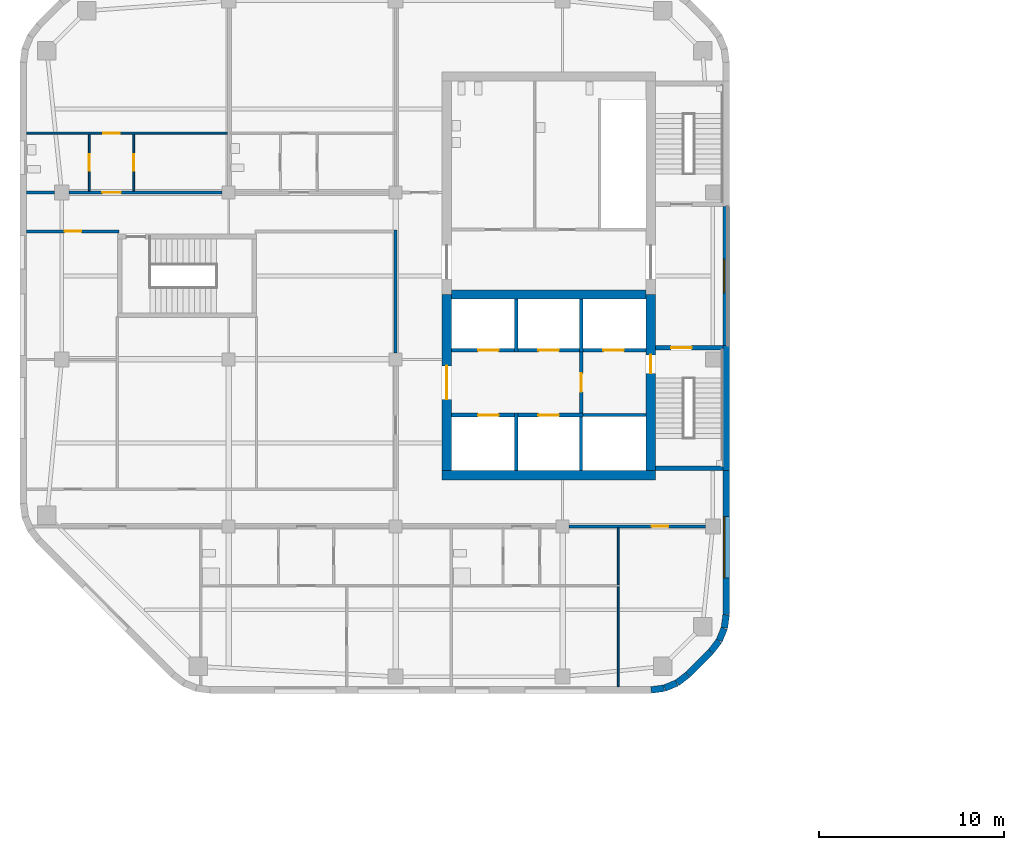
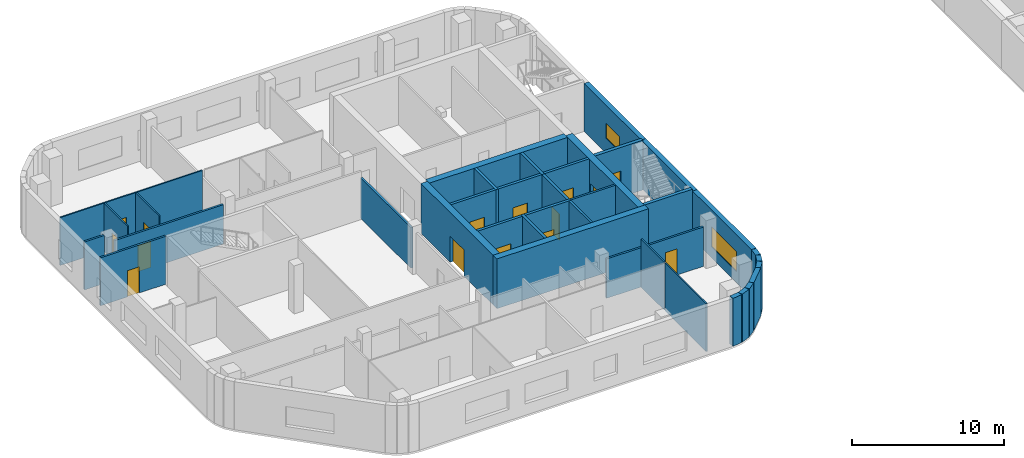
# One storey, part 6 of 15: 37 walls, 15 doors, 2 windows, 17 openings.
"""IFC4 building model written with IfcOpenShell, lengths in metres."""

from ifc_helpers import new_model, si_unit, direction, frame, frame_2d, origin, place, context, subcontext, project, spatial, rectangle, extrude, material, layer, layer_set, type_object, element, fill, save


model = new_model("IFC4")

# Units and contexts
model_context = context("Model", 3, precision=1e-05, world=origin(), true_north=direction((0.0, 1.0)))
body_context = subcontext(model_context, "Body", "Model", "MODEL_VIEW")
ifc_project = project(units=[si_unit("LENGTHUNIT", "METRE"), si_unit("AREAUNIT", "SQUARE_METRE"), si_unit("VOLUMEUNIT", "CUBIC_METRE"), si_unit("PLANEANGLEUNIT", "RADIAN"), si_unit("MASSUNIT", "GRAM", prefix="KILO")], contexts=[model_context])

# Site, building, storey
site_placement = place(None, origin())
site = spatial("IfcSite", under=ifc_project, at=site_placement, CompositionType="ELEMENT")
building_placement = place(site_placement, origin())
building = spatial("IfcBuilding", under=site, at=building_placement, Name="Cinnabar Reach Civic Tower", CompositionType="ELEMENT")
storey_placement = place(building_placement, frame((0.0, 0.0, 87.0)))
storey = spatial("IfcBuildingStorey", under=building, at=storey_placement, Name="L20", CompositionType="ELEMENT", Elevation=87.0)

# Walls
ifc_material_1 = material(Name="Facing brick with insulated backing", Category="masonry")
ifc_layer_1 = layer(ifc_material_1, 0.36)
ifc_layer_set_1 = layer_set([ifc_layer_1], Name="Brick corner wall")
wall_type_1 = type_object("IfcWallType", Name="Brick corner wall", PredefinedType="STANDARD", material=ifc_layer_set_1)
for number, where, z_axis, x_axis, name in (
    (1, (-31.2314, 9.183, 0.0), (0.0, 0.0, 1.0), (0.99144092581, 0.13055608231, 0.0), "Brick corner wall"),
    (2, (-30.5027, 9.2819, 0.0), (0.0, 0.0, 1.0), (0.923871547278, 0.382702709855, 0.0), "Brick corner wall"),
):
    element("IfcWall", number, at=place(storey_placement, frame(where, z_axis=z_axis, x_axis=x_axis)), inside=storey, type_object=wall_type_1, Name=name, PredefinedType="STANDARD", context=body_context, shape_type="SweptSolid", body=[
        extrude(rectangle(XDim=0.7131, YDim=0.36, at=frame_2d((0.3565, 0.0))), origin(), (0.0, 0.0, 1.0), 3.85),
    ])
for number, where, z_axis, x_axis, name in (
    (3, (-29.8245, 9.566, 0.0), (0.0, 0.0, 1.0), (0.793321924995, 0.608802368033, 0.0), "Brick corner wall"),
    (4, (-28.0002, 11.2587, 0.0), (0.0, 0.0, 1.0), (0.608802368033, 0.793321924995, 0.0), "Brick corner wall"),
):
    element("IfcWall", number, at=place(storey_placement, frame(where, z_axis=z_axis, x_axis=x_axis)), inside=storey, type_object=wall_type_1, Name=name, PredefinedType="STANDARD", context=body_context, shape_type="SweptSolid", body=[
        extrude(rectangle(XDim=0.7132, YDim=0.36, at=frame_2d((0.3566, 0.0))), origin(), (0.0, 0.0, 1.0), 3.85),
    ])
for number, where, z_axis, x_axis, name in (
    (5, (-27.5548, 11.8439, 0.0), (0.0, 0.0, 1.0), (0.382702709855, 0.923871547278, 0.0), "Brick corner wall"),
    (6, (-27.2761, 12.5244, 0.0), (0.0, 0.0, 1.0), (0.13055608231, 0.99144092581, 0.0), "Brick corner wall"),
):
    element("IfcWall", number, at=place(storey_placement, frame(where, z_axis=z_axis, x_axis=x_axis)), inside=storey, type_object=wall_type_1, Name=name, PredefinedType="STANDARD", context=body_context, shape_type="SweptSolid", body=[
        extrude(rectangle(XDim=0.7131, YDim=0.36, at=frame_2d((0.3565, 0.0))), origin(), (0.0, 0.0, 1.0), 3.85),
    ])
ifc_layer_2 = layer(ifc_material_1, 0.36)
ifc_layer_set_2 = layer_set([ifc_layer_2], Name="Brick pier and spandrel wall")
wall_type_2 = type_object("IfcWallType", Name="Brick pier and spandrel wall", PredefinedType="STANDARD", material=ifc_layer_set_2)
wall_1_placement = place(storey_placement, frame((-29.2486, 10.006, 0.0), z_axis=(0.0, 0.0, 1.0), x_axis=(0.707106781187, 0.707106781187, 0.0)))
element("IfcWall", 7, at=wall_1_placement, inside=storey, type_object=wall_type_2, Name="Brick facade wall", PredefinedType="STANDARD", context=body_context, shape_type="SweptSolid", body=[
    extrude(rectangle(XDim=1.7573, YDim=0.36, at=frame_2d((0.8787, 0.0))), origin(), (0.0, 0.0, 1.0), 3.85),
])

# Wall, opening, window
wall_2_placement = place(storey_placement, frame((-27.18, 13.2426, 0.0), z_axis=(0.0, 0.0, 1.0), x_axis=(0.0, 1.0, 0.0)))
wall_2 = element("IfcWall", 8, at=wall_2_placement, inside=storey, type_object=wall_type_2, Name="Brick facade wall", PredefinedType="STANDARD", context=body_context, shape_type="SweptSolid", body=[
    extrude(rectangle(XDim=7.7574, YDim=0.36, at=frame_2d((3.8787, 0.0))), origin(), (0.0, 0.0, 1.0), 3.85),
])
opening_1_placement = place(wall_2_placement, frame((1.9824, 0.0, 0.9)))
opening_1 = element("IfcOpeningElement", 9, at=opening_1_placement, cuts=wall_2, Name="Opening W2624", PredefinedType="OPENING", context=body_context, shape_type="SweptSolid", body=[
    extrude(rectangle(XDim=3.3, YDim=1.6, at=frame_2d((1.65, 0.8))), frame((0.0, 0.19, 0.0), z_axis=(0.0, -1.0, 0.0), x_axis=(1.0, 0.0, 0.0)), (0.0, 0.0, 1.0), 0.38),
])
ifc_material_2 = material(Name="Clear double glazing in aluminium frame", Category="aluminium")
window_type_1 = type_object("IfcWindowType", Name="Deep-set window A", PartitioningType="SINGLE_PANEL", PredefinedType="WINDOW", material=ifc_material_2)
window_1_placement = place(opening_1_placement, origin())
window_1 = element("IfcWindow", 10, at=window_1_placement, inside=storey, type_object=window_type_1, Name="Window east face", OverallHeight=1.6, OverallWidth=3.3, PartitioningType="SINGLE_PANEL", PredefinedType="WINDOW", context=body_context, shape_type="SweptSolid", body=[
    extrude(rectangle(XDim=3.3, YDim=1.6, at=frame_2d((1.65, 0.8))), frame((0.0, 0.13, 0.0), z_axis=(0.0, -1.0, 0.0), x_axis=(1.0, 0.0, 0.0)), (0.0, 0.0, 1.0), 0.06),
])
fill(opening_1, window_1)

# Wall
wall_3_placement = place(storey_placement, frame((-27.18, 21.0, 0.0), z_axis=(0.0, 0.0, 1.0), x_axis=(0.0, 1.0, 0.0)))
element("IfcWall", 11, at=wall_3_placement, inside=storey, type_object=wall_type_2, Name="Brick facade wall", PredefinedType="STANDARD", context=body_context, shape_type="SweptSolid", body=[
    extrude(rectangle(XDim=6.75, YDim=0.36, at=frame_2d((3.375, 0.0))), origin(), (0.0, 0.0, 1.0), 3.85),
])

# Wall, opening, window
wall_4_placement = place(storey_placement, frame((-27.18, 27.75, 0.0), z_axis=(0.0, 0.0, 1.0), x_axis=(0.0, 1.0, 0.0)))
wall_4 = element("IfcWall", 12, at=wall_4_placement, inside=storey, type_object=wall_type_2, Name="Brick facade wall", PredefinedType="STANDARD", context=body_context, shape_type="SweptSolid", body=[
    extrude(rectangle(XDim=7.5, YDim=0.36, at=frame_2d((3.75, 0.0))), origin(), (0.0, 0.0, 1.0), 3.85),
])
opening_2_placement = place(wall_4_placement, frame((2.85, 0.0, 1.2)))
opening_2 = element("IfcOpeningElement", 13, at=opening_2_placement, cuts=wall_4, Name="Opening W2625", PredefinedType="OPENING", context=body_context, shape_type="SweptSolid", body=[
    extrude(rectangle(XDim=1.8, YDim=1.2, at=frame_2d((0.9, 0.6))), frame((0.0, 0.19, 0.0), z_axis=(0.0, -1.0, 0.0), x_axis=(1.0, 0.0, 0.0)), (0.0, 0.0, 1.0), 0.38),
])
window_type_2 = type_object("IfcWindowType", Name="Deep-set window C", PartitioningType="SINGLE_PANEL", PredefinedType="WINDOW", material=ifc_material_2)
window_2_placement = place(opening_2_placement, origin())
window_2 = element("IfcWindow", 14, at=window_2_placement, inside=storey, type_object=window_type_2, Name="Window east face", OverallHeight=1.2, OverallWidth=1.8, PartitioningType="SINGLE_PANEL", PredefinedType="WINDOW", context=body_context, shape_type="SweptSolid", body=[
    extrude(rectangle(XDim=1.8, YDim=1.2, at=frame_2d((0.9, 0.6))), frame((0.0, 0.13, 0.0), z_axis=(0.0, -1.0, 0.0), x_axis=(1.0, 0.0, 0.0)), (0.0, 0.0, 1.0), 0.06),
])
fill(opening_2, window_2)

# Wall
ifc_material_3 = material(Name="Concrete C60", Category="concrete")
ifc_layer_3 = layer(ifc_material_3, 0.5)
ifc_layer_set_3 = layer_set([ifc_layer_3], Name="Core wall 500 EI 180")
wall_type_3 = type_object("IfcWallType", Name="Core wall 500 EI 180", PredefinedType="SOLIDWALL", material=ifc_layer_set_3)
wall_5_placement = place(storey_placement, frame((-42.5, 20.75, 0.0), z_axis=(0.0, 0.0, 1.0), x_axis=(1.0, 0.0, 0.0)))
element("IfcWall", 15, at=wall_5_placement, inside=storey, type_object=wall_type_3, Name="Core wall T2 L20 S", PredefinedType="SOLIDWALL", context=body_context, shape_type="SweptSolid", body=[
    extrude(rectangle(XDim=11.5, YDim=0.5, at=frame_2d((5.75, 0.0))), origin(), (0.0, 0.0, 1.0), 4.0),
])

# Wall, opening, door
wall_6_placement = place(storey_placement, frame((-31.25, 21.0, 0.0), z_axis=(0.0, 0.0, 1.0), x_axis=(0.0, 1.0, 0.0)))
wall_6 = element("IfcWall", 16, at=wall_6_placement, inside=storey, type_object=wall_type_3, Name="Core wall T2 L20 E", PredefinedType="SOLIDWALL", context=body_context, shape_type="SweptSolid", body=[
    extrude(rectangle(XDim=9.5, YDim=0.5, at=frame_2d((4.75, 0.0))), origin(), (0.0, 0.0, 1.0), 4.0),
])
opening_3_placement = place(wall_6_placement, frame((5.25, 0.0, 0.0)))
opening_3 = element("IfcOpeningElement", 17, at=opening_3_placement, cuts=wall_6, Name="Opening D6754", PredefinedType="OPENING", context=body_context, shape_type="SweptSolid", body=[
    extrude(rectangle(XDim=1.0, YDim=2.1, at=frame_2d((0.5, 1.05))), frame((0.0, 0.26, 0.0), z_axis=(0.0, -1.0, 0.0), x_axis=(1.0, 0.0, 0.0)), (0.0, 0.0, 1.0), 0.52),
])
ifc_material_4 = material(Name="Steel fire door", Category="steel")
door_type_1 = type_object("IfcDoorType", Name="T2 Firefighting lobby door 1000", OperationType="SINGLE_SWING_LEFT", PredefinedType="DOOR", material=ifc_material_4)
door_1_placement = place(opening_3_placement, frame((1.0, 0.0, 0.0), z_axis=(0.0, 0.0, 1.0), x_axis=(-1.0, 0.0, 0.0)))
door_1 = element("IfcDoor", 18, at=door_1_placement, inside=storey, type_object=door_type_1, Name="T2 Firefighting lobby door D6754", OperationType="SINGLE_SWING_LEFT", OverallHeight=2.1, OverallWidth=1.0, PredefinedType="DOOR", context=body_context, shape_type="SweptSolid", body=[
    extrude(rectangle(XDim=1.0, YDim=2.1, at=frame_2d((0.5, 1.05))), frame((0.0, 0.025, 0.0), z_axis=(0.0, -1.0, 0.0), x_axis=(1.0, 0.0, 0.0)), (0.0, 0.0, 1.0), 0.05),
])
fill(opening_3, door_1)

wall_7_placement = place(storey_placement, frame((-42.25, 30.5, 0.0), z_axis=(0.0, 0.0, 1.0), x_axis=(0.0, -1.0, 0.0)))
wall_7 = element("IfcWall", 19, at=wall_7_placement, inside=storey, type_object=wall_type_3, Name="Core wall T2 L20 W2", PredefinedType="SOLIDWALL", context=body_context, shape_type="SweptSolid", body=[
    extrude(rectangle(XDim=9.5, YDim=0.5, at=frame_2d((4.75, 0.0))), origin(), (0.0, 0.0, 1.0), 4.0),
])
opening_4_placement = place(wall_7_placement, frame((3.85, 0.0, 0.0)))
opening_4 = element("IfcOpeningElement", 20, at=opening_4_placement, cuts=wall_7, Name="Opening D6758", PredefinedType="OPENING", context=body_context, shape_type="SweptSolid", body=[
    extrude(rectangle(XDim=1.8, YDim=2.1, at=frame_2d((0.9, 1.05))), frame((0.0, 0.26, 0.0), z_axis=(0.0, -1.0, 0.0), x_axis=(1.0, 0.0, 0.0)), (0.0, 0.0, 1.0), 0.52),
])
door_type_2 = type_object("IfcDoorType", Name="T2 Double door 1800", OperationType="DOUBLE_DOOR_SINGLE_SWING", PredefinedType="DOOR", material=ifc_material_4)
door_2_placement = place(opening_4_placement, origin())
door_2 = element("IfcDoor", 21, at=door_2_placement, inside=storey, type_object=door_type_2, Name="T2 Double door D6758", OperationType="DOUBLE_DOOR_SINGLE_SWING", OverallHeight=2.1, OverallWidth=1.8, PredefinedType="DOOR", context=body_context, shape_type="SweptSolid", body=[
    extrude(rectangle(XDim=1.8, YDim=2.1, at=frame_2d((0.9, 1.05))), frame((0.0, 0.025, 0.0), z_axis=(0.0, -1.0, 0.0), x_axis=(1.0, 0.0, 0.0)), (0.0, 0.0, 1.0), 0.05),
])
fill(opening_4, door_2)

# Wall
wall_8_placement = place(storey_placement, frame((-42.0, 30.5, 0.0), z_axis=(0.0, 0.0, 1.0), x_axis=(1.0, 0.0, 0.0)))
element("IfcWall", 22, at=wall_8_placement, inside=storey, type_object=wall_type_3, Name="Core spine wall T2 L20", PredefinedType="SOLIDWALL", context=body_context, shape_type="SweptSolid", body=[
    extrude(rectangle(XDim=10.5, YDim=0.5, at=frame_2d((5.25, 0.0))), origin(), (0.0, 0.0, 1.0), 4.0),
])

# Wall, opening, door
ifc_material_5 = material(Name="Gypsum board on steel studs, double layer", Category="steel")
ifc_layer_4 = layer(ifc_material_5, 0.15)
ifc_layer_set_4 = layer_set([ifc_layer_4], Name="Corridor wall 150 T2")
wall_type_4 = type_object("IfcWallType", Name="Corridor wall 150 T2", PredefinedType="PARTITIONING", material=ifc_layer_set_4)
wall_9_placement = place(storey_placement, frame((-35.65, 18.0, 0.0), z_axis=(0.0, 0.0, 1.0), x_axis=(1.0, 0.0, 0.0)))
wall_9 = element("IfcWall", 23, at=wall_9_placement, inside=storey, type_object=wall_type_4, Name="Corridor wall 1", PredefinedType="PARTITIONING", context=body_context, shape_type="SweptSolid", body=[
    extrude(rectangle(XDim=7.35, YDim=0.15, at=frame_2d((3.675, 0.0))), origin(), (0.0, 0.0, 1.0), 3.158),
])
opening_5_placement = place(wall_9_placement, frame((4.45, 0.0, 0.0)))
opening_5 = element("IfcOpeningElement", 24, at=opening_5_placement, cuts=wall_9, Name="Opening D6773", PredefinedType="OPENING", context=body_context, shape_type="SweptSolid", body=[
    extrude(rectangle(XDim=0.9, YDim=2.1, at=frame_2d((0.45, 1.05))), frame((0.0, 0.085, 0.0), z_axis=(0.0, -1.0, 0.0), x_axis=(1.0, 0.0, 0.0)), (0.0, 0.0, 1.0), 0.17),
])
ifc_material_6 = material(Name="Timber door leaf in steel frame", Category="steel")
door_type_3 = type_object("IfcDoorType", Name="Single swing door 900 x 2100 T2", OperationType="SINGLE_SWING_LEFT", PredefinedType="DOOR", material=ifc_material_6)
door_3_placement = place(opening_5_placement, frame((0.9, 0.0, 0.0), z_axis=(0.0, 0.0, 1.0), x_axis=(-1.0, 0.0, 0.0)))
door_3 = element("IfcDoor", 25, at=door_3_placement, inside=storey, type_object=door_type_3, Name="Door D6773", OperationType="SINGLE_SWING_LEFT", OverallHeight=2.1, OverallWidth=0.9, PredefinedType="DOOR", context=body_context, shape_type="SweptSolid", body=[
    extrude(rectangle(XDim=0.9, YDim=2.1, at=frame_2d((0.45, 1.05))), frame((0.0, 0.025, 0.0), z_axis=(0.0, -1.0, 0.0), x_axis=(1.0, 0.0, 0.0)), (0.0, 0.0, 1.0), 0.05),
])
fill(opening_5, door_3)

wall_10_placement = place(storey_placement, frame((-62.6, 36.0, 0.0), z_axis=(0.0, 0.0, 1.0), x_axis=(1.0, 0.0, 0.0)))
wall_10 = element("IfcWall", 26, at=wall_10_placement, inside=storey, type_object=wall_type_4, Name="Corridor wall 7", PredefinedType="PARTITIONING", context=body_context, shape_type="SweptSolid", body=[
    extrude(rectangle(XDim=8.25, YDim=0.15, at=frame_2d((4.125, 0.0))), origin(), (0.0, 0.0, 1.0), 3.158),
])
opening_6_placement = place(wall_10_placement, frame((1.7859, 0.0, 0.0)))
opening_6 = element("IfcOpeningElement", 27, at=opening_6_placement, cuts=wall_10, Name="Opening D6777", PredefinedType="OPENING", context=body_context, shape_type="SweptSolid", body=[
    extrude(rectangle(XDim=1.0, YDim=2.1, at=frame_2d((0.5, 1.05))), frame((0.0, 0.085, 0.0), z_axis=(0.0, -1.0, 0.0), x_axis=(1.0, 0.0, 0.0)), (0.0, 0.0, 1.0), 0.17),
])
door_type_4 = type_object("IfcDoorType", Name="Tenancy entrance door 1000 x 2100 T2", OperationType="SINGLE_SWING_LEFT", PredefinedType="DOOR", material=ifc_material_6)
door_4_placement = place(opening_6_placement, origin())
door_4 = element("IfcDoor", 28, at=door_4_placement, inside=storey, type_object=door_type_4, Name="Door D6777", OperationType="SINGLE_SWING_RIGHT", OverallHeight=2.1, OverallWidth=1.0, PredefinedType="DOOR", context=body_context, shape_type="SweptSolid", body=[
    extrude(rectangle(XDim=1.0, YDim=2.1, at=frame_2d((0.5, 1.05))), frame((0.0, 0.025, 0.0), z_axis=(0.0, -1.0, 0.0), x_axis=(1.0, 0.0, 0.0)), (0.0, 0.0, 1.0), 0.05),
])
fill(opening_6, door_4)

# Walls
wall_11_placement = place(storey_placement, frame((-64.89, 36.0, 0.0), z_axis=(0.0, 0.0, 1.0), x_axis=(1.0, 0.0, 0.0)))
element("IfcWall", 29, at=wall_11_placement, inside=storey, type_object=wall_type_4, Name="Corridor wall 8", PredefinedType="PARTITIONING", context=body_context, shape_type="SweptSolid", body=[
    extrude(rectangle(XDim=1.49, YDim=0.15, at=frame_2d((0.745, 0.0))), origin(), (0.0, 0.0, 1.0), 3.85),
])
wall_12_placement = place(storey_placement, frame((-45.0, 27.35, 0.0), z_axis=(0.0, 0.0, 1.0), x_axis=(0.0, 1.0, 0.0)))
element("IfcWall", 30, at=wall_12_placement, inside=storey, type_object=wall_type_4, Name="Corridor wall 11", PredefinedType="PARTITIONING", context=body_context, shape_type="SweptSolid", body=[
    extrude(rectangle(XDim=6.625, YDim=0.15, at=frame_2d((3.3125, 0.0))), origin(), (0.0, 0.0, 1.0), 3.256),
])

# Wall, opening, door
wall_13_placement = place(storey_placement, frame((-64.89, 33.9, 0.0), z_axis=(0.0, 0.0, 1.0), x_axis=(1.0, 0.0, 0.0)))
wall_13 = element("IfcWall", 31, at=wall_13_placement, inside=storey, type_object=wall_type_4, Name="Corridor wall 13", PredefinedType="PARTITIONING", context=body_context, shape_type="SweptSolid", body=[
    extrude(rectangle(XDim=4.965, YDim=0.15, at=frame_2d((2.4825, 0.0))), origin(), (0.0, 0.0, 1.0), 3.85),
])
opening_7_placement = place(wall_13_placement, frame((2.05, 0.0, 0.0)))
opening_7 = element("IfcOpeningElement", 32, at=opening_7_placement, cuts=wall_13, Name="Opening D6783", PredefinedType="OPENING", context=body_context, shape_type="SweptSolid", body=[
    extrude(rectangle(XDim=0.9, YDim=2.1, at=frame_2d((0.45, 1.05))), frame((0.0, 0.085, 0.0), z_axis=(0.0, -1.0, 0.0), x_axis=(1.0, 0.0, 0.0)), (0.0, 0.0, 1.0), 0.17),
])
door_5_placement = place(opening_7_placement, frame((0.9, 0.0, 0.0), z_axis=(0.0, 0.0, 1.0), x_axis=(-1.0, 0.0, 0.0)))
door_5 = element("IfcDoor", 33, at=door_5_placement, inside=storey, type_object=door_type_3, Name="Door D6783", OperationType="SINGLE_SWING_LEFT", OverallHeight=2.1, OverallWidth=0.9, PredefinedType="DOOR", context=body_context, shape_type="SweptSolid", body=[
    extrude(rectangle(XDim=0.9, YDim=2.1, at=frame_2d((0.45, 1.05))), frame((0.0, 0.025, 0.0), z_axis=(0.0, -1.0, 0.0), x_axis=(1.0, 0.0, 0.0)), (0.0, 0.0, 1.0), 0.05),
])
fill(opening_7, door_5)

ifc_material_7 = material(Name="Gypsum board on steel studs", Category="steel")
ifc_layer_5 = layer(ifc_material_7, 0.1)
ifc_layer_set_5 = layer_set([ifc_layer_5], Name="Partition wall 100 T2")
wall_type_5 = type_object("IfcWallType", Name="Partition wall 100 T2", PredefinedType="PARTITIONING", material=ifc_layer_set_5)
wall_14_placement = place(storey_placement, frame((-64.89, 39.2, 0.0), z_axis=(0.0, 0.0, 1.0), x_axis=(1.0, 0.0, 0.0)))
wall_14 = element("IfcWall", 34, at=wall_14_placement, inside=storey, type_object=wall_type_5, Name="Partition wall 19", PredefinedType="PARTITIONING", context=body_context, shape_type="SweptSolid", body=[
    extrude(rectangle(XDim=10.815, YDim=0.1, at=frame_2d((5.4075, 0.0))), origin(), (0.0, 0.0, 1.0), 3.85),
])
opening_8_placement = place(wall_14_placement, frame((4.1259, 0.0, 0.0)))
opening_8 = element("IfcOpeningElement", 35, at=opening_8_placement, cuts=wall_14, Name="Opening D6776", PredefinedType="OPENING", context=body_context, shape_type="SweptSolid", body=[
    extrude(rectangle(XDim=0.9, YDim=2.1, at=frame_2d((0.45, 1.05))), frame((0.0, 0.06, 0.0), z_axis=(0.0, -1.0, 0.0), x_axis=(1.0, 0.0, 0.0)), (0.0, 0.0, 1.0), 0.12),
])
door_6_placement = place(opening_8_placement, frame((0.9, 0.0, 0.0), z_axis=(0.0, 0.0, 1.0), x_axis=(-1.0, 0.0, 0.0)))
door_6 = element("IfcDoor", 36, at=door_6_placement, inside=storey, type_object=door_type_3, Name="Door D6776", OperationType="SINGLE_SWING_RIGHT", OverallHeight=2.1, OverallWidth=0.9, PredefinedType="DOOR", context=body_context, shape_type="SweptSolid", body=[
    extrude(rectangle(XDim=0.9, YDim=2.1, at=frame_2d((0.45, 1.05))), frame((0.0, 0.025, 0.0), z_axis=(0.0, -1.0, 0.0), x_axis=(1.0, 0.0, 0.0)), (0.0, 0.0, 1.0), 0.05),
])
fill(opening_8, door_6)

# Walls
wall_15_placement = place(storey_placement, frame((-33.0, 14.85, 0.0), z_axis=(0.0, 0.0, 1.0), x_axis=(0.0, 1.0, 0.0)))
element("IfcWall", 37, at=wall_15_placement, inside=storey, type_object=wall_type_5, Name="Partition wall 24", PredefinedType="PARTITIONING", context=body_context, shape_type="SweptSolid", body=[
    extrude(rectangle(XDim=3.075, YDim=0.1, at=frame_2d((1.5375, 0.0))), origin(), (0.0, 0.0, 1.0), 3.85),
])
wall_16_placement = place(storey_placement, frame((-33.0, 9.36, 0.0), z_axis=(0.0, 0.0, 1.0), x_axis=(0.0, 1.0, 0.0)))
element("IfcWall", 38, at=wall_16_placement, inside=storey, type_object=wall_type_5, Name="Partition wall 25", PredefinedType="PARTITIONING", context=body_context, shape_type="SweptSolid", body=[
    extrude(rectangle(XDim=5.39, YDim=0.1, at=frame_2d((2.695, 0.0))), origin(), (0.0, 0.0, 1.0), 3.85),
])

# Wall, opening, door
wall_17_placement = place(storey_placement, frame((-61.5141, 36.075, 0.0), z_axis=(0.0, 0.0, 1.0), x_axis=(0.0, 1.0, 0.0)))
wall_17 = element("IfcWall", 39, at=wall_17_placement, inside=storey, type_object=wall_type_5, Name="Partition wall 32", PredefinedType="PARTITIONING", context=body_context, shape_type="SweptSolid", body=[
    extrude(rectangle(XDim=3.075, YDim=0.1, at=frame_2d((1.5375, 0.0))), origin(), (0.0, 0.0, 1.0), 3.85),
])
opening_9_placement = place(wall_17_placement, frame((1.1, 0.0, 0.0)))
opening_9 = element("IfcOpeningElement", 40, at=opening_9_placement, cuts=wall_17, Name="Opening D6774", PredefinedType="OPENING", context=body_context, shape_type="SweptSolid", body=[
    extrude(rectangle(XDim=0.9, YDim=2.1, at=frame_2d((0.45, 1.05))), frame((0.0, 0.06, 0.0), z_axis=(0.0, -1.0, 0.0), x_axis=(1.0, 0.0, 0.0)), (0.0, 0.0, 1.0), 0.12),
])
door_7_placement = place(opening_9_placement, origin())
door_7 = element("IfcDoor", 41, at=door_7_placement, inside=storey, type_object=door_type_3, Name="Door D6774", OperationType="SINGLE_SWING_LEFT", OverallHeight=2.1, OverallWidth=0.9, PredefinedType="DOOR", context=body_context, shape_type="SweptSolid", body=[
    extrude(rectangle(XDim=0.9, YDim=2.1, at=frame_2d((0.45, 1.05))), frame((0.0, 0.025, 0.0), z_axis=(0.0, -1.0, 0.0), x_axis=(1.0, 0.0, 0.0)), (0.0, 0.0, 1.0), 0.05),
])
fill(opening_9, door_7)

wall_18_placement = place(storey_placement, frame((-59.1183, 36.075, 0.0), z_axis=(0.0, 0.0, 1.0), x_axis=(0.0, 1.0, 0.0)))
wall_18 = element("IfcWall", 42, at=wall_18_placement, inside=storey, type_object=wall_type_5, Name="Partition wall 33", PredefinedType="PARTITIONING", context=body_context, shape_type="SweptSolid", body=[
    extrude(rectangle(XDim=3.075, YDim=0.1, at=frame_2d((1.5375, 0.0))), origin(), (0.0, 0.0, 1.0), 3.85),
])
opening_10_placement = place(wall_18_placement, frame((1.1, 0.0, 0.0)))
opening_10 = element("IfcOpeningElement", 43, at=opening_10_placement, cuts=wall_18, Name="Opening D6775", PredefinedType="OPENING", context=body_context, shape_type="SweptSolid", body=[
    extrude(rectangle(XDim=0.9, YDim=2.1, at=frame_2d((0.45, 1.05))), frame((0.0, 0.06, 0.0), z_axis=(0.0, -1.0, 0.0), x_axis=(1.0, 0.0, 0.0)), (0.0, 0.0, 1.0), 0.12),
])
door_8_placement = place(opening_10_placement, origin())
door_8 = element("IfcDoor", 44, at=door_8_placement, inside=storey, type_object=door_type_3, Name="Door D6775", OperationType="SINGLE_SWING_LEFT", OverallHeight=2.1, OverallWidth=0.9, PredefinedType="DOOR", context=body_context, shape_type="SweptSolid", body=[
    extrude(rectangle(XDim=0.9, YDim=2.1, at=frame_2d((0.45, 1.05))), frame((0.0, 0.025, 0.0), z_axis=(0.0, -1.0, 0.0), x_axis=(1.0, 0.0, 0.0)), (0.0, 0.0, 1.0), 0.05),
])
fill(opening_10, door_8)

# Wall
ifc_layer_6 = layer(ifc_material_3, 0.25)
ifc_layer_set_6 = layer_set([ifc_layer_6], Name="Stair shaft wall 250 EI 120")
wall_type_6 = type_object("IfcWallType", Name="Stair shaft wall 250 EI 120", PredefinedType="SOLIDWALL", material=ifc_layer_set_6)
wall_19_placement = place(storey_placement, frame((-31.0, 21.125, 0.0), z_axis=(0.0, 0.0, 1.0), x_axis=(1.0, 0.0, 0.0)))
element("IfcWall", 45, at=wall_19_placement, inside=storey, type_object=wall_type_6, Name="Stair shaft wall T2-S1 L20", PredefinedType="SOLIDWALL", context=body_context, shape_type="SweptSolid", body=[
    extrude(rectangle(XDim=3.64, YDim=0.25, at=frame_2d((1.82, 0.0))), origin(), (0.0, 0.0, 1.0), 4.0),
])

# Wall, opening, door
wall_20_placement = place(storey_placement, frame((-27.36, 27.625, 0.0), z_axis=(0.0, 0.0, 1.0), x_axis=(-1.0, 0.0, 0.0)))
wall_20 = element("IfcWall", 46, at=wall_20_placement, inside=storey, type_object=wall_type_6, Name="Stair shaft wall T2-S1 L20", PredefinedType="SOLIDWALL", context=body_context, shape_type="SweptSolid", body=[
    extrude(rectangle(XDim=3.64, YDim=0.25, at=frame_2d((1.82, 0.0))), origin(), (0.0, 0.0, 1.0), 4.0),
])
opening_11_placement = place(wall_20_placement, frame((1.69, 0.0, 0.0)))
opening_11 = element("IfcOpeningElement", 47, at=opening_11_placement, cuts=wall_20, Name="Opening D6755", PredefinedType="OPENING", context=body_context, shape_type="SweptSolid", body=[
    extrude(rectangle(XDim=1.1, YDim=2.1, at=frame_2d((0.55, 1.05))), frame((0.0, 0.135, 0.0), z_axis=(0.0, -1.0, 0.0), x_axis=(1.0, 0.0, 0.0)), (0.0, 0.0, 1.0), 0.27),
])
door_type_5 = type_object("IfcDoorType", Name="T2 Stair door 1100", OperationType="SINGLE_SWING_LEFT", PredefinedType="DOOR", material=ifc_material_4)
door_9_placement = place(opening_11_placement, origin())
door_9 = element("IfcDoor", 48, at=door_9_placement, inside=storey, type_object=door_type_5, Name="T2 Stair door D6755", OperationType="SINGLE_SWING_RIGHT", OverallHeight=2.1, OverallWidth=1.1, PredefinedType="DOOR", context=body_context, shape_type="SweptSolid", body=[
    extrude(rectangle(XDim=1.1, YDim=2.1, at=frame_2d((0.55, 1.05))), frame((0.0, 0.025, 0.0), z_axis=(0.0, -1.0, 0.0), x_axis=(1.0, 0.0, 0.0)), (0.0, 0.0, 1.0), 0.05),
])
fill(opening_11, door_9)

# Walls
ifc_material_8 = material(Name="Concrete C40", Category="concrete")
ifc_layer_7 = layer(ifc_material_8, 0.15)
ifc_layer_set_7 = layer_set([ifc_layer_7], Name="T2 Riser wall 150")
wall_type_7 = type_object("IfcWallType", Name="T2 Riser wall 150", PredefinedType="SOLIDWALL", material=ifc_layer_set_7)
wall_21_placement = place(storey_placement, frame((-35.0, 21.0, 0.0), z_axis=(0.0, 0.0, 1.0), x_axis=(0.0, 1.0, 0.0)))
element("IfcWall", 49, at=wall_21_placement, inside=storey, type_object=wall_type_7, Name="T2 Riser wall L20 010", PredefinedType="SOLIDWALL", context=body_context, shape_type="SweptSolid", body=[
    extrude(rectangle(XDim=2.9, YDim=0.15, at=frame_2d((1.45, 0.0))), origin(), (0.0, 0.0, 1.0), 4.0),
])
wall_22_placement = place(storey_placement, frame((-31.5, 24.0, 0.0), z_axis=(0.0, 0.0, 1.0), x_axis=(-1.0, 0.0, 0.0)))
element("IfcWall", 50, at=wall_22_placement, inside=storey, type_object=wall_type_7, Name="T2 Riser wall L20 011", PredefinedType="SOLIDWALL", context=body_context, shape_type="SweptSolid", body=[
    extrude(rectangle(XDim=3.4, YDim=0.15, at=frame_2d((1.7, 0.0))), origin(), (0.0, 0.0, 1.0), 4.0),
])
ifc_layer_8 = layer(ifc_material_8, 0.2)
ifc_layer_set_8 = layer_set([ifc_layer_8], Name="T2 Shaft wall 200")
wall_type_8 = type_object("IfcWallType", Name="T2 Shaft wall 200", PredefinedType="SOLIDWALL", material=ifc_layer_set_8)
wall_23_placement = place(storey_placement, frame((-38.5, 21.0, 0.0), z_axis=(0.0, 0.0, 1.0), x_axis=(0.0, 1.0, 0.0)))
element("IfcWall", 51, at=wall_23_placement, inside=storey, type_object=wall_type_8, Name="T2 Shaft wall L20 001", PredefinedType="SOLIDWALL", context=body_context, shape_type="SweptSolid", body=[
    extrude(rectangle(XDim=3.1, YDim=0.2, at=frame_2d((1.55, 0.0))), origin(), (0.0, 0.0, 1.0), 4.0),
])

# Wall, opening, door
wall_24_placement = place(storey_placement, frame((-38.6, 24.0, 0.0), z_axis=(0.0, 0.0, 1.0), x_axis=(-1.0, 0.0, 0.0)))
wall_24 = element("IfcWall", 52, at=wall_24_placement, inside=storey, type_object=wall_type_8, Name="T2 Shaft wall L20 002", PredefinedType="SOLIDWALL", context=body_context, shape_type="SweptSolid", body=[
    extrude(rectangle(XDim=3.4, YDim=0.2, at=frame_2d((1.7, 0.0))), origin(), (0.0, 0.0, 1.0), 4.0),
])
opening_12_placement = place(wall_24_placement, frame((0.85, 0.0, 0.0)))
opening_12 = element("IfcOpeningElement", 53, at=opening_12_placement, cuts=wall_24, Name="Opening D6748", PredefinedType="OPENING", context=body_context, shape_type="SweptSolid", body=[
    extrude(rectangle(XDim=1.1, YDim=2.1, at=frame_2d((0.55, 1.05))), frame((0.0, 0.11, 0.0), z_axis=(0.0, -1.0, 0.0), x_axis=(1.0, 0.0, 0.0)), (0.0, 0.0, 1.0), 0.22),
])
door_type_6 = type_object("IfcDoorType", Name="T2 Lift landing door 1100", OperationType="SLIDING_TO_LEFT", PredefinedType="DOOR", material=ifc_material_4)
door_10_placement = place(opening_12_placement, origin())
door_10 = element("IfcDoor", 54, at=door_10_placement, inside=storey, type_object=door_type_6, Name="T2 Lift landing door D6748", OperationType="SLIDING_TO_LEFT", OverallHeight=2.1, OverallWidth=1.1, PredefinedType="DOOR", context=body_context, shape_type="SweptSolid", body=[
    extrude(rectangle(XDim=1.1, YDim=2.1, at=frame_2d((0.55, 1.05))), frame((0.0, 0.025, 0.0), z_axis=(0.0, -1.0, 0.0), x_axis=(1.0, 0.0, 0.0)), (0.0, 0.0, 1.0), 0.05),
])
fill(opening_12, door_10)

wall_25_placement = place(storey_placement, frame((-34.9, 24.0, 0.0), z_axis=(0.0, 0.0, 1.0), x_axis=(-1.0, 0.0, 0.0)))
wall_25 = element("IfcWall", 55, at=wall_25_placement, inside=storey, type_object=wall_type_8, Name="T2 Shaft wall L20 003", PredefinedType="SOLIDWALL", context=body_context, shape_type="SweptSolid", body=[
    extrude(rectangle(XDim=3.5, YDim=0.2, at=frame_2d((1.75, 0.0))), origin(), (0.0, 0.0, 1.0), 4.0),
])
opening_13_placement = place(wall_25_placement, frame((1.3, 0.0, 0.0)))
opening_13 = element("IfcOpeningElement", 56, at=opening_13_placement, cuts=wall_25, Name="Opening D6749", PredefinedType="OPENING", context=body_context, shape_type="SweptSolid", body=[
    extrude(rectangle(XDim=1.1, YDim=2.1, at=frame_2d((0.55, 1.05))), frame((0.0, 0.11, 0.0), z_axis=(0.0, -1.0, 0.0), x_axis=(1.0, 0.0, 0.0)), (0.0, 0.0, 1.0), 0.22),
])
door_11_placement = place(opening_13_placement, origin())
door_11 = element("IfcDoor", 57, at=door_11_placement, inside=storey, type_object=door_type_6, Name="T2 Lift landing door D6749", OperationType="SLIDING_TO_LEFT", OverallHeight=2.1, OverallWidth=1.1, PredefinedType="DOOR", context=body_context, shape_type="SweptSolid", body=[
    extrude(rectangle(XDim=1.1, YDim=2.1, at=frame_2d((0.55, 1.05))), frame((0.0, 0.025, 0.0), z_axis=(0.0, -1.0, 0.0), x_axis=(1.0, 0.0, 0.0)), (0.0, 0.0, 1.0), 0.05),
])
fill(opening_13, door_11)

# Wall
wall_26_placement = place(storey_placement, frame((-38.5, 27.4, 0.0), z_axis=(0.0, 0.0, 1.0), x_axis=(0.0, 1.0, 0.0)))
element("IfcWall", 58, at=wall_26_placement, inside=storey, type_object=wall_type_8, Name="T2 Shaft wall L20 004", PredefinedType="SOLIDWALL", context=body_context, shape_type="SweptSolid", body=[
    extrude(rectangle(XDim=2.85, YDim=0.2, at=frame_2d((1.425, 0.0))), origin(), (0.0, 0.0, 1.0), 4.0),
])

# Wall, opening, door
wall_27_placement = place(storey_placement, frame((-42.0, 27.5, 0.0), z_axis=(0.0, 0.0, 1.0), x_axis=(1.0, 0.0, 0.0)))
wall_27 = element("IfcWall", 59, at=wall_27_placement, inside=storey, type_object=wall_type_8, Name="T2 Shaft wall L20 005", PredefinedType="SOLIDWALL", context=body_context, shape_type="SweptSolid", body=[
    extrude(rectangle(XDim=3.4, YDim=0.2, at=frame_2d((1.7, 0.0))), origin(), (0.0, 0.0, 1.0), 4.0),
])
opening_14_placement = place(wall_27_placement, frame((1.45, 0.0, 0.0)))
opening_14 = element("IfcOpeningElement", 60, at=opening_14_placement, cuts=wall_27, Name="Opening D6750", PredefinedType="OPENING", context=body_context, shape_type="SweptSolid", body=[
    extrude(rectangle(XDim=1.1, YDim=2.1, at=frame_2d((0.55, 1.05))), frame((0.0, 0.11, 0.0), z_axis=(0.0, -1.0, 0.0), x_axis=(1.0, 0.0, 0.0)), (0.0, 0.0, 1.0), 0.22),
])
door_12_placement = place(opening_14_placement, origin())
door_12 = element("IfcDoor", 61, at=door_12_placement, inside=storey, type_object=door_type_6, Name="T2 Lift landing door D6750", OperationType="SLIDING_TO_LEFT", OverallHeight=2.1, OverallWidth=1.1, PredefinedType="DOOR", context=body_context, shape_type="SweptSolid", body=[
    extrude(rectangle(XDim=1.1, YDim=2.1, at=frame_2d((0.55, 1.05))), frame((0.0, 0.025, 0.0), z_axis=(0.0, -1.0, 0.0), x_axis=(1.0, 0.0, 0.0)), (0.0, 0.0, 1.0), 0.05),
])
fill(opening_14, door_12)

# Wall
wall_28_placement = place(storey_placement, frame((-35.0, 27.4, 0.0), z_axis=(0.0, 0.0, 1.0), x_axis=(0.0, 1.0, 0.0)))
element("IfcWall", 62, at=wall_28_placement, inside=storey, type_object=wall_type_8, Name="T2 Shaft wall L20 006", PredefinedType="SOLIDWALL", context=body_context, shape_type="SweptSolid", body=[
    extrude(rectangle(XDim=2.85, YDim=0.2, at=frame_2d((1.425, 0.0))), origin(), (0.0, 0.0, 1.0), 4.0),
])

# Wall, opening, door
wall_29_placement = place(storey_placement, frame((-38.4, 27.5, 0.0), z_axis=(0.0, 0.0, 1.0), x_axis=(1.0, 0.0, 0.0)))
wall_29 = element("IfcWall", 63, at=wall_29_placement, inside=storey, type_object=wall_type_8, Name="T2 Shaft wall L20 007", PredefinedType="SOLIDWALL", context=body_context, shape_type="SweptSolid", body=[
    extrude(rectangle(XDim=3.3, YDim=0.2, at=frame_2d((1.65, 0.0))), origin(), (0.0, 0.0, 1.0), 4.0),
])
opening_15_placement = place(wall_29_placement, frame((1.1, 0.0, 0.0)))
opening_15 = element("IfcOpeningElement", 64, at=opening_15_placement, cuts=wall_29, Name="Opening D6751", PredefinedType="OPENING", context=body_context, shape_type="SweptSolid", body=[
    extrude(rectangle(XDim=1.1, YDim=2.1, at=frame_2d((0.55, 1.05))), frame((0.0, 0.11, 0.0), z_axis=(0.0, -1.0, 0.0), x_axis=(1.0, 0.0, 0.0)), (0.0, 0.0, 1.0), 0.22),
])
door_13_placement = place(opening_15_placement, origin())
door_13 = element("IfcDoor", 65, at=door_13_placement, inside=storey, type_object=door_type_6, Name="T2 Lift landing door D6751", OperationType="SLIDING_TO_LEFT", OverallHeight=2.1, OverallWidth=1.1, PredefinedType="DOOR", context=body_context, shape_type="SweptSolid", body=[
    extrude(rectangle(XDim=1.1, YDim=2.1, at=frame_2d((0.55, 1.05))), frame((0.0, 0.025, 0.0), z_axis=(0.0, -1.0, 0.0), x_axis=(1.0, 0.0, 0.0)), (0.0, 0.0, 1.0), 0.05),
])
fill(opening_15, door_13)

wall_30_placement = place(storey_placement, frame((-34.9, 27.5, 0.0), z_axis=(0.0, 0.0, 1.0), x_axis=(1.0, 0.0, 0.0)))
wall_30 = element("IfcWall", 66, at=wall_30_placement, inside=storey, type_object=wall_type_8, Name="T2 Shaft wall L20 008", PredefinedType="SOLIDWALL", context=body_context, shape_type="SweptSolid", body=[
    extrude(rectangle(XDim=3.4, YDim=0.2, at=frame_2d((1.7, 0.0))), origin(), (0.0, 0.0, 1.0), 4.0),
])
opening_16_placement = place(wall_30_placement, frame((1.1, 0.0, 0.0)))
opening_16 = element("IfcOpeningElement", 67, at=opening_16_placement, cuts=wall_30, Name="Opening D6752", PredefinedType="OPENING", context=body_context, shape_type="SweptSolid", body=[
    extrude(rectangle(XDim=1.1, YDim=2.1, at=frame_2d((0.55, 1.05))), frame((0.0, 0.11, 0.0), z_axis=(0.0, -1.0, 0.0), x_axis=(1.0, 0.0, 0.0)), (0.0, 0.0, 1.0), 0.22),
])
door_type_7 = type_object("IfcDoorType", Name="T2 Firefighting lift landing door 1100", OperationType="SLIDING_TO_LEFT", PredefinedType="DOOR", material=ifc_material_4)
door_14_placement = place(opening_16_placement, origin())
door_14 = element("IfcDoor", 68, at=door_14_placement, inside=storey, type_object=door_type_7, Name="T2 Firefighting lift landing door D6752", OperationType="SLIDING_TO_LEFT", OverallHeight=2.1, OverallWidth=1.1, PredefinedType="DOOR", context=body_context, shape_type="SweptSolid", body=[
    extrude(rectangle(XDim=1.1, YDim=2.1, at=frame_2d((0.55, 1.05))), frame((0.0, 0.025, 0.0), z_axis=(0.0, -1.0, 0.0), x_axis=(1.0, 0.0, 0.0)), (0.0, 0.0, 1.0), 0.05),
])
fill(opening_16, door_14)

wall_31_placement = place(storey_placement, frame((-35.0, 24.1, 0.0), z_axis=(0.0, 0.0, 1.0), x_axis=(0.0, 1.0, 0.0)))
wall_31 = element("IfcWall", 69, at=wall_31_placement, inside=storey, type_object=wall_type_8, Name="T2 Shaft wall L20 009", PredefinedType="SOLIDWALL", context=body_context, shape_type="SweptSolid", body=[
    extrude(rectangle(XDim=3.3, YDim=0.2, at=frame_2d((1.65, 0.0))), origin(), (0.0, 0.0, 1.0), 4.0),
])
opening_17_placement = place(wall_31_placement, frame((1.15, 0.0, 0.0)))
opening_17 = element("IfcOpeningElement", 70, at=opening_17_placement, cuts=wall_31, Name="Opening D6753", PredefinedType="OPENING", context=body_context, shape_type="SweptSolid", body=[
    extrude(rectangle(XDim=1.0, YDim=2.1, at=frame_2d((0.5, 1.05))), frame((0.0, 0.11, 0.0), z_axis=(0.0, -1.0, 0.0), x_axis=(1.0, 0.0, 0.0)), (0.0, 0.0, 1.0), 0.22),
])
door_15_placement = place(opening_17_placement, origin())
door_15 = element("IfcDoor", 71, at=door_15_placement, inside=storey, type_object=door_type_1, Name="T2 Firefighting lobby door D6753", OperationType="SINGLE_SWING_RIGHT", OverallHeight=2.1, OverallWidth=1.0, PredefinedType="DOOR", context=body_context, shape_type="SweptSolid", body=[
    extrude(rectangle(XDim=1.0, YDim=2.1, at=frame_2d((0.5, 1.05))), frame((0.0, 0.025, 0.0), z_axis=(0.0, -1.0, 0.0), x_axis=(1.0, 0.0, 0.0)), (0.0, 0.0, 1.0), 0.05),
])
fill(opening_17, door_15)

save(model, "model.ifc")
